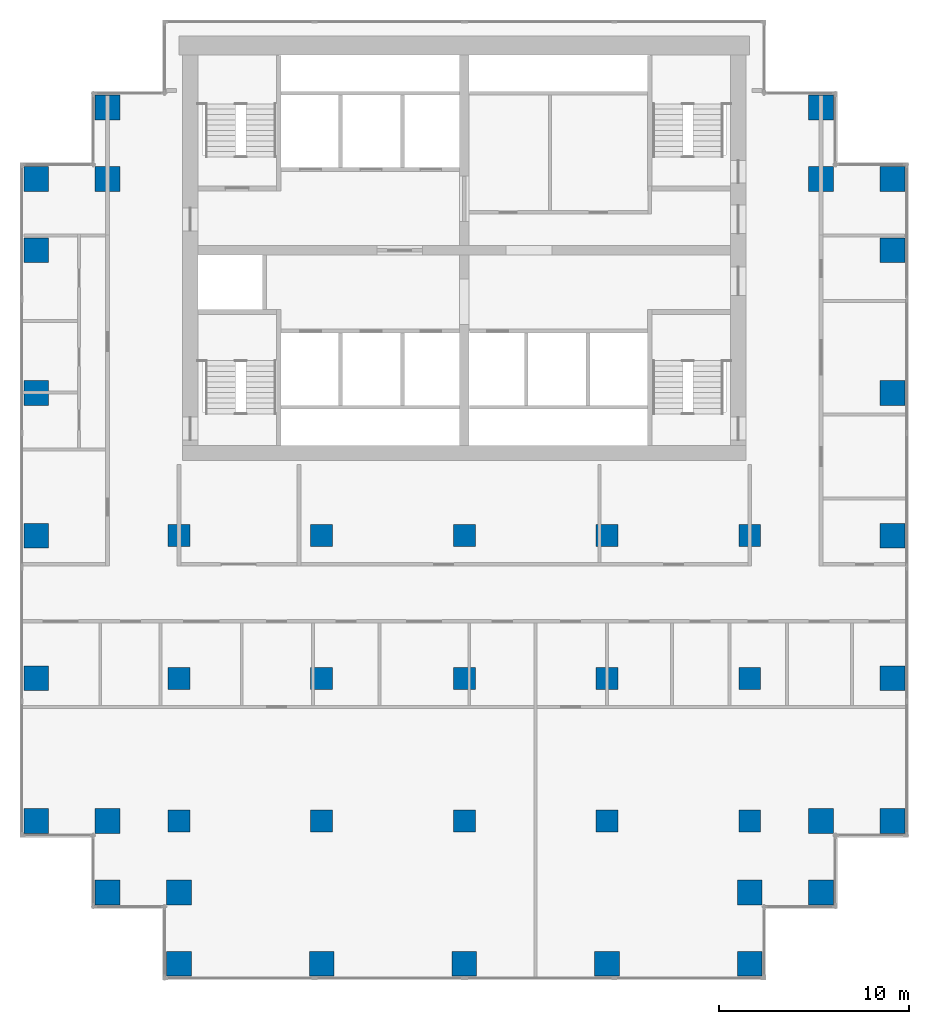
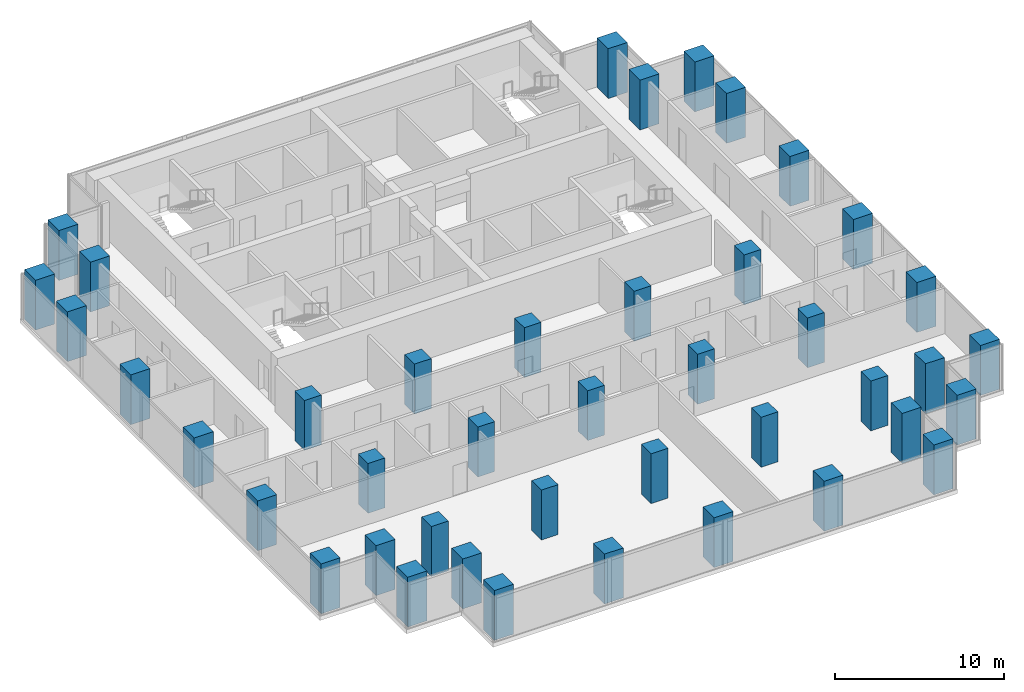
# One storey, part 1 of 10: 42 columns.
"""IFC4 building model written with IfcOpenShell, lengths in metres."""

from ifc_helpers import new_model, si_unit, direction, frame, origin, origin_2d, place, context, subcontext, project, spatial, rectangle, extrude, material, material_profile, profile_set, type_object, element, save


model = new_model("IFC4")

# Units and contexts
model_context = context("Model", 3, precision=1e-05, world=origin(), true_north=direction((0.0, 1.0)))
body_context = subcontext(model_context, "Body", "Model", "MODEL_VIEW")
ifc_project = project(units=[si_unit("LENGTHUNIT", "METRE"), si_unit("AREAUNIT", "SQUARE_METRE"), si_unit("VOLUMEUNIT", "CUBIC_METRE"), si_unit("PLANEANGLEUNIT", "RADIAN"), si_unit("MASSUNIT", "GRAM", prefix="KILO")], contexts=[model_context])

# Site, building, storey
site_placement = place(None, origin())
site = spatial("IfcSite", under=ifc_project, at=site_placement, CompositionType="ELEMENT")
building_placement = place(site_placement, origin())
building = spatial("IfcBuilding", under=site, at=building_placement, Name="Pilkhan Gate Tower", CompositionType="ELEMENT")
storey_placement = place(building_placement, frame((0.0, 0.0, 107.199951171875)))
storey = spatial("IfcBuildingStorey", under=building, at=storey_placement, Name="L26", CompositionType="ELEMENT", Elevation=107.199951171875)

# Columns
ifc_material = material(Name="Concrete C60/75", Category="concrete")
ifc_material_profile_1 = material_profile(ifc_material, rectangle(XDim=1.14990234375, YDim=1.14990234375, at=origin_2d()), Name="RC 1150x1150")
ifc_profile_set_1 = profile_set([ifc_material_profile_1], Name="Concrete C60/75")
column_type_1 = type_object("IfcColumnType", Name="Column C115 RC 1150x1150 C60/75", PredefinedType="COLUMN", material=ifc_profile_set_1)
for number, where, z_axis, x_axis, name in (
    (1, (60.0, 52.5, 0.0), (0.0, 0.0, 1.0), (1.0, 0.0, 0.0), "Column 7/D L26"),
    (2, (60.0, 60.0, 0.0), (0.0, 0.0, 1.0), (1.0, 0.0, 0.0), "Column 7/F L26"),
    (3, (60.0, 67.5, 0.0), (0.0, 0.0, 1.0), (1.0, 0.0, 0.0), "Column 7/H L26"),
    (4, (67.5, 52.5, 0.0), (0.0, 0.0, 1.0), (1.0, 0.0, 0.0), "Column 9/D L26"),
    (5, (67.5, 60.0, 0.0), (0.0, 0.0, 1.0), (1.0, 0.0, 0.0), "Column 9/F L26"),
    (6, (67.5, 67.5, 0.0), (0.0, 0.0, 1.0), (1.0, 0.0, 0.0), "Column 9/H L26"),
    (7, (75.0, 52.5, 0.0), (0.0, 0.0, 1.0), (1.0, 0.0, 0.0), "Column 11/D L26"),
    (8, (75.0, 60.0, 0.0), (0.0, 0.0, 1.0), (1.0, 0.0, 0.0), "Column 11/F L26"),
    (9, (75.0, 67.5, 0.0), (0.0, 0.0, 1.0), (1.0, 0.0, 0.0), "Column 11/H L26"),
    (10, (82.5, 52.5, 0.0), (0.0, 0.0, 1.0), (1.0, 0.0, 0.0), "Column 13/D L26"),
    (11, (82.5, 60.0, 0.0), (0.0, 0.0, 1.0), (1.0, 0.0, 0.0), "Column 13/F L26"),
    (12, (82.5, 67.5, 0.0), (0.0, 0.0, 1.0), (1.0, 0.0, 0.0), "Column 13/H L26"),
    (13, (90.0, 52.5, 0.0), (0.0, 0.0, 1.0), (1.0, 0.0, 0.0), "Column 15/D L26"),
    (14, (90.0, 60.0, 0.0), (0.0, 0.0, 1.0), (1.0, 0.0, 0.0), "Column 15/F L26"),
    (15, (90.0, 67.5, 0.0), (0.0, 0.0, 1.0), (1.0, 0.0, 0.0), "Column 15/H L26"),
):
    element("IfcColumn", number, at=place(storey_placement, frame(where, z_axis=z_axis, x_axis=x_axis)), inside=storey, type_object=column_type_1, Name=name, PredefinedType="COLUMN", context=body_context, shape_type="SweptSolid", body=[
        extrude(rectangle(XDim=1.14990234375, YDim=1.14990234375, at=origin_2d()), origin(), (0.0, 0.0, 1.0), 3.60009765625),
    ])
ifc_material_profile_2 = material_profile(ifc_material, rectangle(XDim=1.300048828125, YDim=1.300048828125, at=origin_2d()), Name="RC 1300x1300")
ifc_profile_set_2 = profile_set([ifc_material_profile_2], Name="Concrete C60/75")
column_type_2 = type_object("IfcColumnType", Name="Column C130 RC 1300x1300 C60/75", PredefinedType="COLUMN", material=ifc_profile_set_2)
for number, where, z_axis, x_axis, name in (
    (16, (52.5, 52.5, 0.0), (0.0, 0.0, 1.0), (1.0, 0.0, 0.0), "Column 5/D L26"),
    (17, (52.5, 60.0, 0.0), (0.0, 0.0, 1.0), (1.0, 0.0, 0.0), "Column 5/F L26"),
    (18, (52.5, 67.5, 0.0), (0.0, 0.0, 1.0), (1.0, 0.0, 0.0), "Column 5/H L26"),
    (19, (52.5, 75.0, 0.0), (0.0, 0.0, 1.0), (1.0, 0.0, 0.0), "Column 5/K L26"),
    (20, (52.5, 82.5, 0.0), (0.0, 0.0, 1.0), (1.0, 0.0, 0.0), "Column 5/M L26"),
    (21, (52.5, 86.25, 0.0), (0.0, 0.0, 1.0), (1.0, 0.0, 0.0), "Column 5/N L26"),
    (22, (56.25, 48.75, 0.0), (0.0, 0.0, 1.0), (1.0, 0.0, 0.0), "Column 6/C L26"),
    (23, (56.25, 52.5, 0.0), (0.0, 0.0, 1.0), (1.0, 0.0, 0.0), "Column 6/D L26"),
    (24, (56.25, 86.25, 0.0), (0.0, 0.0, 1.0), (1.0, 0.0, 0.0), "Column 6/N L26"),
    (25, (56.25, 90.0, 0.0), (0.0, 0.0, 1.0), (1.0, 0.0, 0.0), "Column 6/P L26"),
    (26, (60.0, 45.0, 0.0), (0.0, 0.0, 1.0), (1.0, 0.0, 0.0), "Column 7/B L26"),
    (27, (60.0, 48.75, 0.0), (0.0, 0.0, 1.0), (1.0, 0.0, 0.0), "Column 7/C L26"),
    (28, (67.5, 45.0, 0.0), (0.0, 0.0, 1.0), (1.0, 0.0, 0.0), "Column 9/B L26"),
    (29, (75.0, 45.0, 0.0), (0.0, 0.0, 1.0), (1.0, 0.0, 0.0), "Column 11/B L26"),
    (30, (82.5, 45.0, 0.0), (0.0, 0.0, 1.0), (1.0, 0.0, 0.0), "Column 13/B L26"),
    (31, (90.0, 45.0, 0.0), (0.0, 0.0, 1.0), (1.0, 0.0, 0.0), "Column 15/B L26"),
    (32, (90.0, 48.75, 0.0), (0.0, 0.0, 1.0), (1.0, 0.0, 0.0), "Column 15/C L26"),
    (33, (93.75, 48.75, 0.0), (0.0, 0.0, 1.0), (1.0, 0.0, 0.0), "Column 16/C L26"),
    (34, (93.75, 52.5, 0.0), (0.0, 0.0, 1.0), (1.0, 0.0, 0.0), "Column 16/D L26"),
    (35, (93.75, 86.25, 0.0), (0.0, 0.0, 1.0), (1.0, 0.0, 0.0), "Column 16/N L26"),
    (36, (93.75, 90.0, 0.0), (0.0, 0.0, 1.0), (1.0, 0.0, 0.0), "Column 16/P L26"),
    (37, (97.5, 52.5, 0.0), (0.0, 0.0, 1.0), (1.0, 0.0, 0.0), "Column 17/D L26"),
    (38, (97.5, 60.0, 0.0), (0.0, 0.0, 1.0), (1.0, 0.0, 0.0), "Column 17/F L26"),
    (39, (97.5, 67.5, 0.0), (0.0, 0.0, 1.0), (1.0, 0.0, 0.0), "Column 17/H L26"),
    (40, (97.5, 75.0, 0.0), (0.0, 0.0, 1.0), (1.0, 0.0, 0.0), "Column 17/K L26"),
    (41, (97.5, 82.5, 0.0), (0.0, 0.0, 1.0), (1.0, 0.0, 0.0), "Column 17/M L26"),
    (42, (97.5, 86.25, 0.0), (0.0, 0.0, 1.0), (1.0, 0.0, 0.0), "Column 17/N L26"),
):
    element("IfcColumn", number, at=place(storey_placement, frame(where, z_axis=z_axis, x_axis=x_axis)), inside=storey, type_object=column_type_2, Name=name, PredefinedType="COLUMN", context=body_context, shape_type="SweptSolid", body=[
        extrude(rectangle(XDim=1.300048828125, YDim=1.300048828125, at=origin_2d()), origin(), (0.0, 0.0, 1.0), 3.60009765625),
    ])

save(model, "model.ifc")
